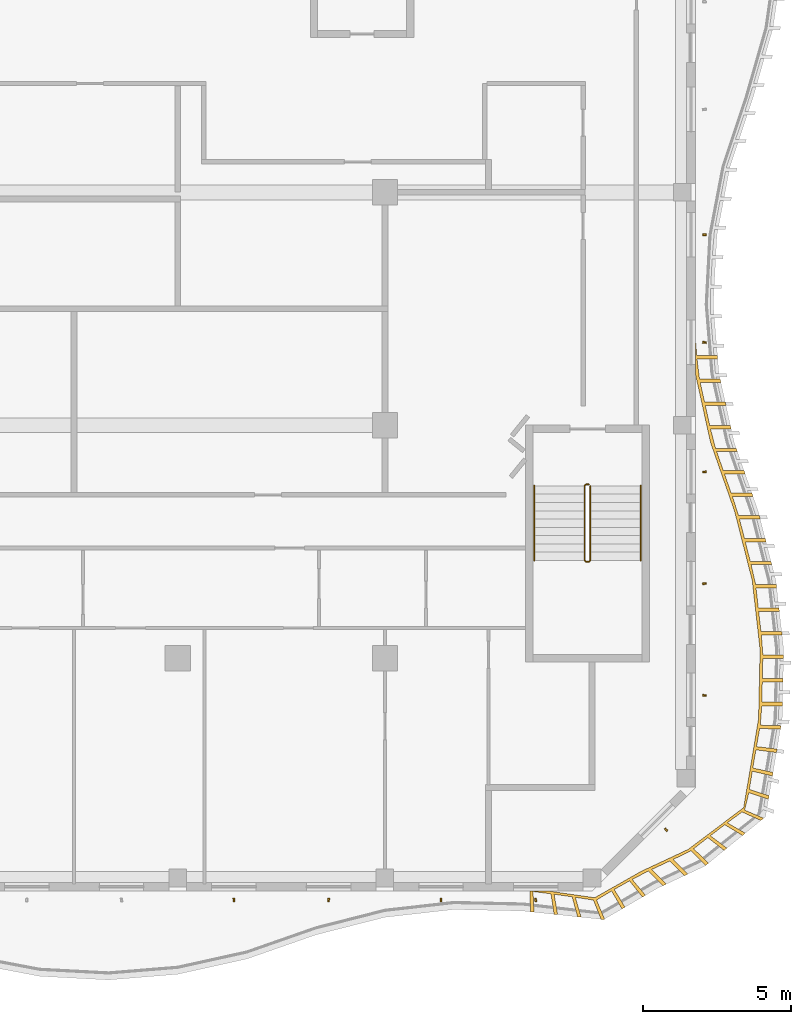
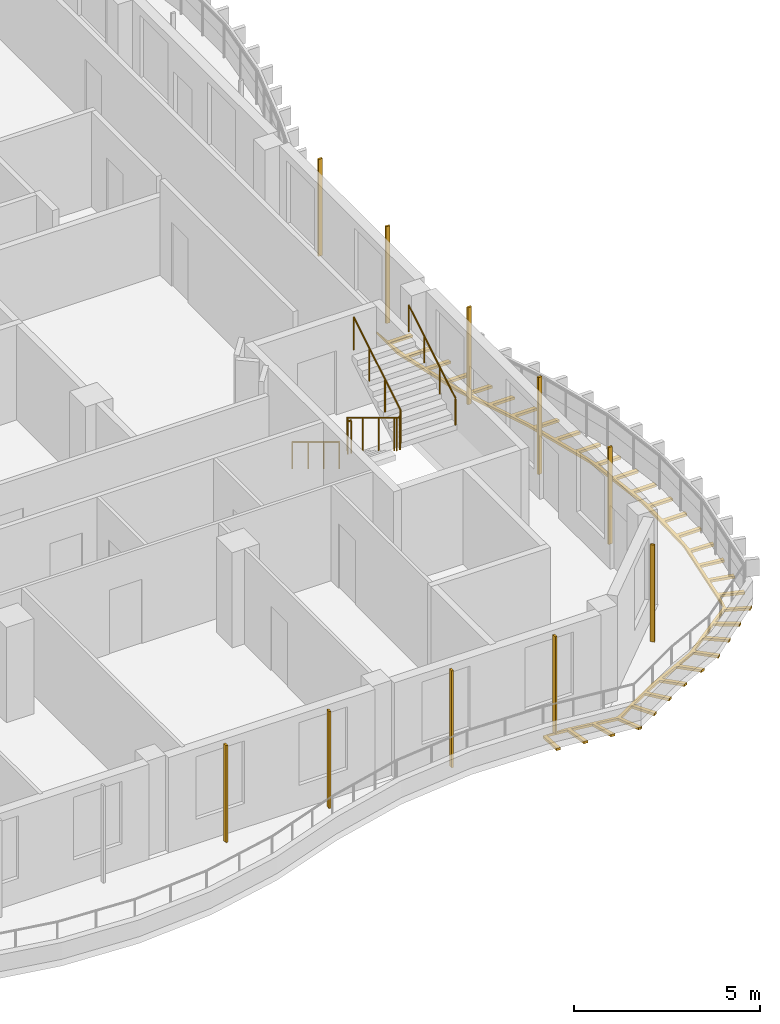
# One storey, part 13 of 17: 11 shading devices, 3 railings.
"""IFC4 building model written with IfcOpenShell, lengths in metres."""

from ifc_helpers import new_model, si_unit, direction, frame, origin, origin_2d, place, context, subcontext, project, spatial, polyline, rectangle, circle, outline, extrude, source, transform, mapped, material, layer, layer_set, material_profile, profile_set, type_object, element, save


model = new_model("IFC4")

# Units and contexts
model_context = context("Model", 3, precision=1e-05, world=origin(), true_north=direction((0.0, 1.0)))
body_context = subcontext(model_context, "Body", "Model", "MODEL_VIEW")
ifc_project = project(units=[si_unit("LENGTHUNIT", "METRE"), si_unit("AREAUNIT", "SQUARE_METRE"), si_unit("VOLUMEUNIT", "CUBIC_METRE"), si_unit("PLANEANGLEUNIT", "RADIAN"), si_unit("MASSUNIT", "GRAM", prefix="KILO")], contexts=[model_context])

# Site, building, storey
site_placement = place(None, origin())
site = spatial("IfcSite", under=ifc_project, at=site_placement, CompositionType="ELEMENT")
building_placement = place(site_placement, origin())
building = spatial("IfcBuilding", under=site, at=building_placement, Name="Kilnfold Tower and Market Hall", CompositionType="ELEMENT")
storey_placement = place(building_placement, frame((0.0, 0.0, 301.800048828125)))
storey = spatial("IfcBuildingStorey", under=building, at=storey_placement, Name="L75", CompositionType="ELEMENT", Elevation=301.800048828125)

# Railings
ifc_material_1 = material(Name="Stainless steel 316", Category="steel")
railing_type_1 = type_object("IfcRailingType", Name="CORE STAIR GUARD 1100", PredefinedType="GUARDRAIL", material=ifc_material_1)
railing_1_placement = place(storey_placement, frame((19.89990234375, -9.75, 0.0)))
element("IfcRailing", 1, at=railing_1_placement, inside=storey, type_object=railing_type_1, Name="L75 ST4 stair guard 1", PredefinedType="GUARDRAIL", context=body_context, shape_type="SweptSolid", body=[
    extrude(circle(Radius=0.02392578125, at=origin_2d()), frame((0.0, 0.0, 1.076171875), z_axis=(-1.0, 0.0, 0.0), x_axis=(0.0, -1.0, 0.0)), (0.0, 0.0, 1.0), 0.099853515625),
    extrude(circle(Radius=0.02392578125, at=origin_2d()), frame((-0.099853515625, 0.0, 1.076171875), z_axis=(-0.271895245746, -0.271895245746, 0.923117517265), x_axis=(0.707106781187, -0.707106781187, 0.0)), (0.0, 0.0, 1.0), 0.18408203125),
    extrude(circle(Radius=0.02392578125, at=origin_2d()), frame((-0.14990234375, -0.050048828125, 1.24609375), z_axis=(0.0, -0.85478489116, 0.518982456201), x_axis=(1.0, 0.0, 0.0)), (0.0, 0.0, 1.0), 2.9482421875),
    extrude(circle(Radius=0.02392578125, at=origin_2d()), frame((-0.14990234375, -2.570068359375, 2.77587890625), z_axis=(0.707106781187, -0.707106781187, 0.0), x_axis=(0.707106781187, 0.707106781187, 0.0)), (0.0, 0.0, 1.0), 0.07080078125),
    extrude(circle(Radius=0.02392578125, at=origin_2d()), frame((-0.099853515625, -2.6201171875, 2.77587890625), z_axis=(1.0, 0.0, 0.0), x_axis=(0.0, 1.0, 0.0)), (0.0, 0.0, 1.0), 0.099853515625),
    extrude(circle(Radius=0.02392578125, at=origin_2d()), frame((0.0, -2.6201171875, 2.77587890625), z_axis=(0.271895245746, 0.271895245746, 0.923117517265), x_axis=(-0.707106781187, 0.707106781187, 0.0)), (0.0, 0.0, 1.0), 0.18408203125),
    extrude(circle(Radius=0.02392578125, at=origin_2d()), frame((0.050048828125, -2.570068359375, 2.94580078125), z_axis=(0.0, 0.85478489116, 0.518982456201), x_axis=(-1.0, 0.0, 0.0)), (0.0, 0.0, 1.0), 2.9482421875),
    extrude(circle(Radius=0.02099609375, at=origin_2d()), origin(), (0.0, 0.0, 1.0), 1.052001953125),
    extrude(circle(Radius=0.02099609375, at=origin_2d()), frame((-0.099853515625, 0.0, 0.0)), (0.0, 0.0, 1.0), 1.052001953125),
    extrude(circle(Radius=0.02099609375, at=origin_2d()), frame((-0.14990234375, -0.050048828125, 0.169921875)), (0.0, 0.0, 1.0), 1.052001953125),
    extrude(circle(Radius=0.02099609375, at=origin_2d()), frame((-0.14990234375, -0.89013671875, 0.679931640625)), (0.0, 0.0, 1.0), 1.052001953125),
    extrude(circle(Radius=0.02099609375, at=origin_2d()), frame((-0.14990234375, -1.72998046875, 1.18994140625)), (0.0, 0.0, 1.0), 1.052001953125),
    extrude(circle(Radius=0.02099609375, at=origin_2d()), frame((-0.14990234375, -2.570068359375, 1.699951171875)), (0.0, 0.0, 1.0), 1.052001953125),
    extrude(circle(Radius=0.02099609375, at=origin_2d()), frame((-0.099853515625, -2.6201171875, 1.699951171875)), (0.0, 0.0, 1.0), 1.052001953125),
    extrude(circle(Radius=0.02099609375, at=origin_2d()), frame((0.0, -2.6201171875, 1.699951171875)), (0.0, 0.0, 1.0), 1.052001953125),
    extrude(circle(Radius=0.02099609375, at=origin_2d()), frame((0.050048828125, -2.570068359375, 1.869873046875)), (0.0, 0.0, 1.0), 1.052001953125),
    extrude(circle(Radius=0.02099609375, at=origin_2d()), frame((0.050048828125, -1.72998046875, 2.3798828125)), (0.0, 0.0, 1.0), 1.052001953125),
    extrude(circle(Radius=0.02099609375, at=origin_2d()), frame((0.050048828125, -0.89013671875, 2.889892578125)), (0.0, 0.0, 1.0), 1.052001953125),
    extrude(circle(Radius=0.02099609375, at=origin_2d()), frame((0.050048828125, -0.050048828125, 3.39990234375)), (0.0, 0.0, 1.0), 1.052001953125),
])
ifc_material_2 = material(Name="Stainless steel 316", Category="steel")
railing_type_2 = type_object("IfcRailingType", Name="CORE STAIR HANDRAIL 900", PredefinedType="HANDRAIL", material=ifc_material_2)
railing_2_placement = place(storey_placement, frame((18.050048828125, -9.800048828125, 0.169921875)))
element("IfcRailing", 2, at=railing_2_placement, inside=storey, type_object=railing_type_2, Name="L75 ST4 stair handrail 1", PredefinedType="HANDRAIL", context=body_context, shape_type="SweptSolid", body=[
    extrude(circle(Radius=0.02392578125, at=origin_2d()), frame((0.0, 0.0, 0.8759765625), z_axis=(0.0, -0.85478489116, 0.518982456201), x_axis=(1.0, 0.0, 0.0)), (0.0, 0.0, 1.0), 2.9482421875),
    extrude(circle(Radius=0.02099609375, at=origin_2d()), origin(), (0.0, 0.0, 1.0), 0.851806640625),
    extrude(circle(Radius=0.02099609375, at=origin_2d()), frame((0.0, -0.840087890625, 0.510009765625)), (0.0, 0.0, 1.0), 0.851806640625),
    extrude(circle(Radius=0.02099609375, at=origin_2d()), frame((0.0, -1.679931640625, 1.02001953125)), (0.0, 0.0, 1.0), 0.851806640625),
    extrude(circle(Radius=0.02099609375, at=origin_2d()), frame((0.0, -2.52001953125, 1.530029296875)), (0.0, 0.0, 1.0), 0.851806640625),
])
railing_3_placement = place(storey_placement, frame((21.64990234375, -12.320068359375, 1.869873046875)))
element("IfcRailing", 3, at=railing_3_placement, inside=storey, type_object=railing_type_2, Name="L75 ST4 stair handrail 2", PredefinedType="HANDRAIL", context=body_context, shape_type="SweptSolid", body=[
    extrude(circle(Radius=0.02392578125, at=origin_2d()), frame((0.0, 0.0, 0.8759765625), z_axis=(0.0, 0.85478489116, 0.518982456201), x_axis=(-1.0, 0.0, 0.0)), (0.0, 0.0, 1.0), 2.9482421875),
    extrude(circle(Radius=0.02099609375, at=origin_2d()), origin(), (0.0, 0.0, 1.0), 0.851806640625),
    extrude(circle(Radius=0.02099609375, at=origin_2d()), frame((0.0, 0.840087890625, 0.510009765625)), (0.0, 0.0, 1.0), 0.851806640625),
    extrude(circle(Radius=0.02099609375, at=origin_2d()), frame((0.0, 1.679931640625, 1.02001953125)), (0.0, 0.0, 1.0), 0.851806640625),
    extrude(circle(Radius=0.02099609375, at=origin_2d()), frame((0.0, 2.52001953125, 1.530029296875)), (0.0, 0.0, 1.0), 0.851806640625),
])

# Shading devices
ifc_material_3 = material(Name="Terracotta", Category="masonry")
ifc_material_profile = material_profile(ifc_material_3, rectangle(XDim=0.06005859375, YDim=0.1201171875, at=origin_2d()), Name="BAG 60x120")
ifc_profile_set = profile_set([ifc_material_profile], Name="Terracotta")
shading_device_type_1 = type_object("IfcShadingDeviceType", Name="BAGUETTE", PredefinedType="USERDEFINED", material=ifc_profile_set)
shared_shape_1 = source(origin(), body_context, "Body", "SweptSolid", [
    extrude(rectangle(XDim=0.06005859375, YDim=0.1201171875, at=origin_2d()), origin(), (0.0, 0.0, 1.0), 3.179931640625),
])
for number, where, z_axis, x_axis, name in (
    (4, (7.89990234375, -23.800048828125, 0.0), (0.0, 0.0, 1.0), (0.999296624771, 0.037500076272, 0.0), "Terracotta baguette L75 S"),
    (5, (11.10009765625, -23.800048828125, 0.0), (0.0, 0.0, 1.0), (0.991788314776, -0.12789033847, 0.0), "Terracotta baguette L75 S"),
    (6, (14.89990234375, -23.800048828125, 0.0), (0.0, 0.0, 1.0), (0.999296624771, -0.037500076272, 0.0), "Terracotta baguette L75 S"),
    (7, (18.10009765625, -23.800048828125, 0.0), (0.0, 0.0, 1.0), (0.991788314776, 0.12789033847, 0.0), "Terracotta baguette L75 S"),
    (8, (22.5048828125, -21.419189453125, 0.0), (0.0, 0.0, 1.0), (0.7384129715, 0.67434878477, 0.0), "Terracotta baguette L75 SE"),
    (9, (23.800048828125, -16.8818359375, 0.0), (0.0, 0.0, 1.0), (0.083888285649, 0.996475165536, 0.0), "Terracotta baguette L75 E"),
    (10, (23.800048828125, -13.1044921875, 0.0), (0.0, 0.0, 1.0), (-0.120809094347, 0.992675759109, 0.0), "Terracotta baguette L75 E"),
    (11, (23.800048828125, -9.327392578125, 0.0), (0.0, 0.0, 1.0), (-0.053901049052, 0.998546281807, 0.0), "Terracotta baguette L75 E"),
    (12, (23.800048828125, -4.949951171875, 0.0), (0.0, 0.0, 1.0), (0.13917310096, 0.990268068742, 0.0), "Terracotta baguette L75 E"),
    (13, (23.800048828125, -1.3125, 0.0), (0.0, 0.0, 1.0), (-0.008220408192, 0.999966211874, 0.0), "Terracotta baguette L75 E"),
):
    element("IfcShadingDevice", number, at=place(storey_placement, frame(where, z_axis=z_axis, x_axis=x_axis)), inside=storey, type_object=shading_device_type_1, Name=name, ObjectType="BAGUETTE", PredefinedType="USERDEFINED", context=body_context, shape_type="MappedRepresentation", body=[
        mapped(shared_shape_1, transform((0.0, 0.0, 0.0))),
    ])
ifc_material_4 = material(Name="Bronze anodised aluminium", Category="aluminium")
ifc_layer = layer(ifc_material_4, 0.080078125)
ifc_layer_set = layer_set([ifc_layer], Name="Bronze anodised aluminium")
shading_device_type_2 = type_object("IfcShadingDeviceType", Name="BRONZE SLAT SOFFIT 80", PredefinedType="USERDEFINED", material=ifc_layer_set)
shared_shape_2 = source(origin(), body_context, "Body", "SweptSolid", [
    extrude(outline(polyline([(20.0908203125, -23.71923828125), (21.662109375, -22.82861328125), (23.252197265625, -22.08544921875), (25.12841796875, -20.674560546875), (25.63134765625, -17.666748046875), (25.68212890625, -15.333251953125), (25.418212890625, -13.0), (24.823974609375, -10.666748046875), (24.009033203125, -8.333251953125), (23.5, -6.03173828125), (23.5, -4.864990234375), (23.543701171875, -5.3974609375), (24.24365234375, -5.3974609375), (24.25341796875, -5.51708984375), (23.553466796875, -5.51708984375), (23.63525390625, -6.19091796875), (24.335205078125, -6.19091796875), (24.361083984375, -6.30810546875), (23.6611328125, -6.30810546875), (23.807861328125, -6.971923828125), (24.5078125, -6.971923828125), (24.533935546875, -7.089111328125), (23.833984375, -7.089111328125), (23.980712890625, -7.753173828125), (24.6806640625, -7.753173828125), (24.70654296875, -7.8701171875), (24.006591796875, -7.8701171875), (24.1767578125, -8.527587890625), (24.876708984375, -8.527587890625), (24.91650390625, -8.640869140625), (24.21630859375, -8.640869140625), (24.440673828125, -9.28271484375), (25.140625, -9.28271484375), (25.18017578125, -9.39599609375), (24.480224609375, -9.39599609375), (24.704345703125, -10.0380859375), (25.404296875, -10.0380859375), (25.444091796875, -10.1513671875), (24.743896484375, -10.1513671875), (24.95703125, -10.796630859375), (25.656982421875, -10.796630859375), (25.686767578125, -10.9130859375), (24.98681640625, -10.9130859375), (25.154541015625, -11.572021484375), (25.8544921875, -11.572021484375), (25.884033203125, -11.688232421875), (25.18408203125, -11.688232421875), (25.351806640625, -12.34716796875), (26.052001953125, -12.34716796875), (26.08154296875, -12.46337890625), (25.381591796875, -12.46337890625), (25.5322265625, -13.12548828125), (26.232421875, -13.12548828125), (26.245849609375, -13.244873046875), (25.5458984375, -13.244873046875), (25.622314453125, -13.92041015625), (26.322265625, -13.92041015625), (26.3251953125, -13.9453125), (26.335693359375, -14.039794921875), (25.6357421875, -14.039794921875), (25.71240234375, -14.71533203125), (26.412353515625, -14.71533203125), (26.42578125, -14.834716796875), (25.725830078125, -14.834716796875), (25.7783203125, -15.511474609375), (26.478271484375, -15.511474609375), (26.4755859375, -15.63134765625), (25.775634765625, -15.63134765625), (25.760986328125, -16.311279296875), (26.4609375, -16.311279296875), (26.458251953125, -16.43115234375), (25.75830078125, -16.43115234375), (25.743408203125, -17.111083984375), (26.443359375, -17.111083984375), (26.44091796875, -17.23095703125), (25.74072265625, -17.23095703125), (25.690673828125, -17.887939453125), (26.390380859375, -17.907470703125), (26.3701171875, -18.025634765625), (25.6708984375, -17.99658203125), (25.561279296875, -18.611572265625), (26.256103515625, -18.696044921875), (26.236083984375, -18.814453125), (25.54248046875, -18.719970703125), (25.438232421875, -19.3349609375), (26.1220703125, -19.48486328125), (26.101806640625, -19.60302734375), (25.42041015625, -19.443603515625), (25.3212890625, -20.06005859375), (25.98779296875, -20.2734375), (25.9677734375, -20.391845703125), (25.30419921875, -20.1689453125), (25.16015625, -20.75732421875), (25.8037109375, -21.032958984375), (25.71044921875, -21.108642578125), (25.072021484375, -20.822021484375), (24.576904296875, -21.188720703125), (25.183349609375, -21.538330078125), (25.09033203125, -21.614013671875), (24.490478515625, -21.253662109375), (24.003173828125, -21.623779296875), (24.563232421875, -22.043701171875), (24.47021484375, -22.119384765625), (23.917724609375, -21.689697265625), (23.436767578125, -22.06591796875), (23.943115234375, -22.549072265625), (23.85009765625, -22.625), (23.352294921875, -22.1328125), (22.74462890625, -22.426513671875), (23.239501953125, -22.92138671875), (23.130859375, -22.972412109375), (22.6357421875, -22.477294921875), (22.019775390625, -22.765380859375), (22.514892578125, -23.26025390625), (22.406005859375, -23.31103515625), (21.9111328125, -22.816162109375), (21.36083984375, -23.100341796875), (21.81005859375, -23.63720703125), (21.706298828125, -23.697509765625), (21.269287109375, -23.150634765625), (20.75439453125, -23.441162109375), (21.118408203125, -24.0390625), (21.0146484375, -24.099365234375), (20.6640625, -23.493408203125), (20.15478515625, -23.7958984375), (20.426513671875, -24.441162109375), (20.39697265625, -24.458251953125), (20.311767578125, -24.44921875), (20.051513671875, -23.79931640625), (19.439453125, -23.70556640625), (19.635498046875, -24.37744140625), (19.51611328125, -24.364990234375), (19.331787109375, -23.689697265625), (18.72265625, -23.60302734375), (18.840087890625, -24.293212890625), (18.720703125, -24.280517578125), (18.615478515625, -23.58837890625), (18.007080078125, -23.509765625), (18.04443359375, -24.208740234375), (17.925048828125, -24.196044921875), (17.899658203125, -23.5), (18.57470703125, -23.5), (20.0908203125, -23.71923828125)])), origin(), (0.0, 0.0, 1.0), 0.080078125),
])
shading_device_placement = place(storey_placement, frame((0.0, 0.0, -0.300048828125)))
element("IfcShadingDevice", 14, at=shading_device_placement, inside=storey, type_object=shading_device_type_2, Name="Balcony soffit slats L75", ObjectType="SLAT", PredefinedType="USERDEFINED", context=body_context, shape_type="MappedRepresentation", body=[
    mapped(shared_shape_2, transform((0.0, 0.0, 0.0))),
])

save(model, "model.ifc")
